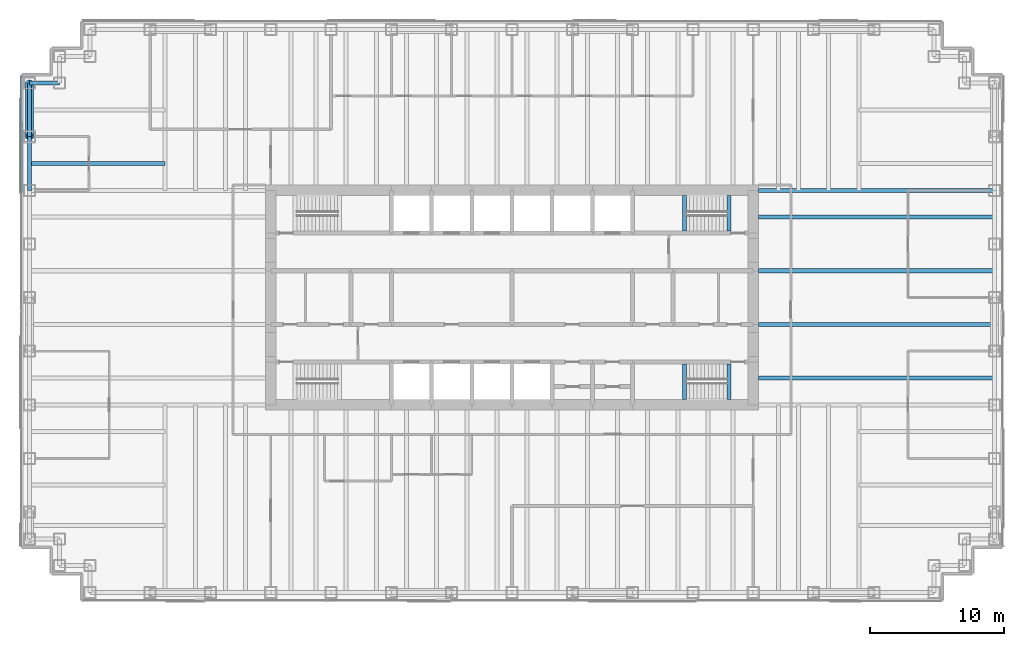
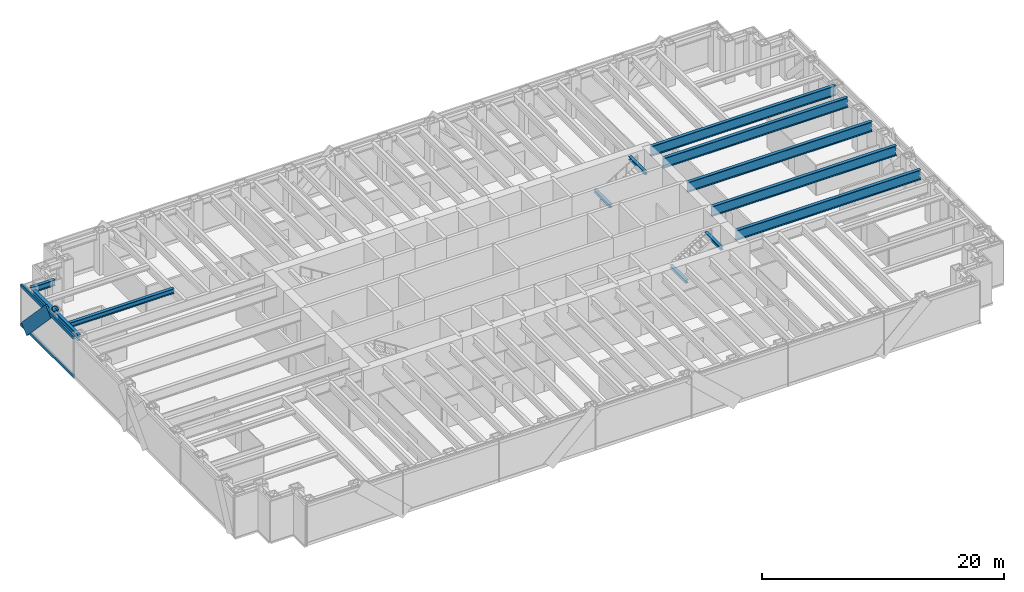
# One storey, part 5 of 15: 13 beams, 4 members, 1 element without a shape of its own.
"""IFC4 building model written with IfcOpenShell, lengths in metres."""

from ifc_helpers import new_model, si_unit, direction, frame, origin, origin_2d, place, context, subcontext, project, spatial, rectangle, hollow_circle, i_section, extrude, material, material_profile, profile_set, type_object, element, aggregate, save


model = new_model("IFC4")

# Units and contexts
model_context = context("Model", 3, precision=1e-05, world=origin(), true_north=direction((0.0, 1.0)))
body_context = subcontext(model_context, "Body", "Model", "MODEL_VIEW")
ifc_project = project(units=[si_unit("LENGTHUNIT", "METRE"), si_unit("AREAUNIT", "SQUARE_METRE"), si_unit("VOLUMEUNIT", "CUBIC_METRE"), si_unit("PLANEANGLEUNIT", "RADIAN"), si_unit("MASSUNIT", "GRAM", prefix="KILO")], contexts=[model_context])

# Site, building, storey
site_placement = place(None, origin())
site = spatial("IfcSite", under=ifc_project, at=site_placement, CompositionType="ELEMENT")
building_placement = place(site_placement, origin())
building = spatial("IfcBuilding", under=site, at=building_placement, Name="Rheinbord Bourse Tower", CompositionType="ELEMENT")
storey_placement = place(building_placement, frame((0.0, 0.0, 236.199951171875)))
storey = spatial("IfcBuildingStorey", under=building, at=storey_placement, Name="L53", CompositionType="ELEMENT", Elevation=236.199951171875)

# Curtain wall, members
ifc_material_1 = material(Name="Dark glass and black aluminium", Category="aluminium")
curtain_wall_type = type_object("IfcCurtainWallType", Name="CW2 DARK GLASS CURTAIN WALL", PredefinedType="USERDEFINED", material=ifc_material_1)
curtain_wall_placement = place(storey_placement, origin())
curtain_wall = element("IfcCurtainWall", 1, at=curtain_wall_placement, inside=storey, type_object=curtain_wall_type, Name="Curtain wall CW2 W L53", ObjectType="UNITISED CURTAIN WALL", PredefinedType="USERDEFINED")
ifc_material_2 = material(Name="Black anodised aluminium", Category="aluminium")
ifc_material_profile_1 = material_profile(ifc_material_2, rectangle(XDim=0.159912109375, YDim=1.2099609375, at=origin_2d()), Name="CW2 DIAGONAL MULLION 1210x160")
ifc_profile_set_1 = profile_set([ifc_material_profile_1], Name="Black anodised aluminium")
member_type_1 = type_object("IfcMemberType", Name="CW2 BLACK DIAGONAL MULLION", PredefinedType="USERDEFINED", material=ifc_profile_set_1)
member_1_placement = place(storey_placement, frame((-0.60009765625, 40.0, 0.0), z_axis=(0.0, -0.689659376744, 0.724133926887), x_axis=(1.0, 0.0, 0.0)))
member_1 = element("IfcMember", 2, at=member_1_placement, type_object=member_type_1, Name="CW2 diagonal mullion b", ObjectType="DIAGONAL MULLION", PredefinedType="USERDEFINED", context=body_context, shape_type="SweptSolid", body=[
    extrude(rectangle(XDim=0.159912109375, YDim=1.2099609375, at=origin_2d()), origin(), (0.0, 0.0, 1.0), 5.800048828125),
])
ifc_material_3 = material(Name="Black anodised aluminium", Category="aluminium")
ifc_material_profile_2 = material_profile(ifc_material_3, rectangle(XDim=0.159912109375, YDim=0.300048828125, at=origin_2d()), Name="CW2 TRANSOM 300x160")
ifc_profile_set_2 = profile_set([ifc_material_profile_2], Name="Black anodised aluminium")
member_type_2 = type_object("IfcMemberType", Name="CW2 BLACK TRANSOM", PredefinedType="USERDEFINED", material=ifc_profile_set_2)
member_2_placement = place(storey_placement, frame((-0.60009765625, 40.530029296875, 0.150146484375), z_axis=(0.0, -1.0, 0.0), x_axis=(1.0, 0.0, 0.0)))
member_2 = element("IfcMember", 3, at=member_2_placement, type_object=member_type_2, Name="CW2 transom 1.1", ObjectType="TRANSOM", PredefinedType="USERDEFINED", context=body_context, shape_type="SweptSolid", body=[
    extrude(rectangle(XDim=0.159912109375, YDim=0.300048828125, at=origin_2d()), origin(), (0.0, 0.0, 1.0), 8.695068359375),
])
member_3_placement = place(storey_placement, frame((-0.60009765625, 40.530029296875, 4.050048828125), z_axis=(0.0, -1.0, 0.0), x_axis=(1.0, 0.0, 0.0)))
member_3 = element("IfcMember", 4, at=member_3_placement, type_object=member_type_2, Name="CW2 transom 1.2", ObjectType="TRANSOM", PredefinedType="USERDEFINED", context=body_context, shape_type="SweptSolid", body=[
    extrude(rectangle(XDim=0.159912109375, YDim=0.300048828125, at=origin_2d()), origin(), (0.0, 0.0, 1.0), 8.695068359375),
])
aggregate(curtain_wall, [member_2, member_3, member_1])

# Beams
ifc_material_4 = material(Name="Steel S460", Category="steel")
ifc_material_profile_3 = material_profile(ifc_material_4, i_section(OverallWidth=0.302001953125, OverallDepth=1.008056640625, WebThickness=0.02099609375, FlangeThickness=0.0400390625, at=origin_2d()), Name="HEM 1000")
ifc_profile_set_3 = profile_set([ifc_material_profile_3], Name="Steel S460")
beam_type_1 = type_object("IfcBeamType", Name="END BEAM HEM 1000", PredefinedType="BEAM", material=ifc_profile_set_3)
for number, where, z_axis, x_axis, name in (
    (5, (54.39990234375, 18.0, 3.5361328125), (1.0, 0.0, 0.0), (0.0, 1.0, 0.0), "End beam east 18 L54"),
    (6, (54.39990234375, 22.0, 3.5361328125), (1.0, 0.0, 0.0), (0.0, 1.0, 0.0), "End beam east 22 L54"),
    (7, (54.39990234375, 26.0, 3.5361328125), (1.0, 0.0, 0.0), (0.0, 1.0, 0.0), "End beam east 26 L54"),
    (8, (54.39990234375, 30.0, 3.5361328125), (1.0, 0.0, 0.0), (0.0, 1.0, 0.0), "End beam east 30 L54"),
):
    element("IfcBeam", number, at=place(storey_placement, frame(where, z_axis=z_axis, x_axis=x_axis)), inside=storey, type_object=beam_type_1, Name=name, PredefinedType="BEAM", context=body_context, shape_type="SweptSolid", body=[
        extrude(i_section(OverallWidth=0.302001953125, OverallDepth=1.008056640625, WebThickness=0.02099609375, FlangeThickness=0.0400390625, at=origin_2d()), origin(), (0.0, 0.0, 1.0), 17.60009765625),
    ])
ifc_material_5 = material(Name="Steel S460", Category="steel")
ifc_material_profile_4 = material_profile(ifc_material_5, i_section(OverallWidth=0.302001953125, OverallDepth=1.008056640625, WebThickness=0.02099609375, FlangeThickness=0.0400390625, at=origin_2d()), Name="HEM 1000")
ifc_profile_set_4 = profile_set([ifc_material_profile_4], Name="Steel S460")
beam_type_2 = type_object("IfcBeamType", Name="GIRDER HEM 1000", PredefinedType="BEAM", material=ifc_profile_set_4)
beam_1_placement = place(storey_placement, frame((54.39990234375, 32.0, 3.5361328125), z_axis=(1.0, 0.0, 0.0), x_axis=(0.0, 1.0, 0.0)))
element("IfcBeam", 9, at=beam_1_placement, inside=storey, type_object=beam_type_2, Name="Girder east 32 L54", PredefinedType="BEAM", context=body_context, shape_type="SweptSolid", body=[
    extrude(i_section(OverallWidth=0.302001953125, OverallDepth=1.008056640625, WebThickness=0.02099609375, FlangeThickness=0.0400390625, at=origin_2d()), origin(), (0.0, 0.0, 1.0), 17.60009765625),
])
ifc_material_6 = material(Name="Steel S460", Category="steel")
ifc_material_profile_5 = material_profile(ifc_material_6, i_section(OverallWidth=0.300048828125, OverallDepth=0.300048828125, WebThickness=0.010986328125, FlangeThickness=0.01904296875, at=origin_2d()), Name="HEB 300")
ifc_profile_set_5 = profile_set([ifc_material_profile_5], Name="Steel S460")
beam_type_3 = type_object("IfcBeamType", Name="LANDING TRIMMER HEB 300", PredefinedType="BEAM", material=ifc_profile_set_5)
for number, where, z_axis, x_axis, name in (
    (10, (48.8701171875, 16.39990234375, 1.75), (0.0, 1.0, 0.0), (-1.0, 0.0, 0.0), "Landing trimmer ST3 L53"),
    (11, (52.199951171875, 16.39990234375, 3.89013671875), (0.0, 1.0, 0.0), (-1.0, 0.0, 0.0), "Well trimmer ST3 under L54"),
    (12, (48.8701171875, 28.949951171875, 1.75), (0.0, 1.0, 0.0), (-1.0, 0.0, 0.0), "Landing trimmer ST4 L53"),
    (13, (52.199951171875, 28.949951171875, 3.89013671875), (0.0, 1.0, 0.0), (-1.0, 0.0, 0.0), "Well trimmer ST4 under L54"),
):
    element("IfcBeam", number, at=place(storey_placement, frame(where, z_axis=z_axis, x_axis=x_axis)), inside=storey, type_object=beam_type_3, Name=name, PredefinedType="BEAM", context=body_context, shape_type="SweptSolid", body=[
        extrude(i_section(OverallWidth=0.300048828125, OverallDepth=0.300048828125, WebThickness=0.010986328125, FlangeThickness=0.01904296875, at=origin_2d()), origin(), (0.0, 0.0, 1.0), 2.650146484375),
    ])

# Member
ifc_material_7 = material(Name="Steel S460", Category="steel")
ifc_material_profile_6 = material_profile(ifc_material_7, hollow_circle(Radius=0.304931640625, WallThickness=0.0400390625, at=origin_2d()), Name="CHS 610x40")
ifc_profile_set_6 = profile_set([ifc_material_profile_6], Name="Steel S460")
member_type_3 = type_object("IfcMemberType", Name="MEGABRACE CHS 610x40", PredefinedType="BRACE", material=ifc_profile_set_6)
member_4_placement = place(storey_placement, frame((0.0, 40.0, 0.0), z_axis=(0.0, -0.689659376744, 0.724133926887), x_axis=(1.0, 0.0, 0.0)))
element("IfcMember", 14, at=member_4_placement, inside=storey, type_object=member_type_3, Name="Megabrace W face line b L53", PredefinedType="BRACE", context=body_context, shape_type="SweptSolid", body=[
    extrude(hollow_circle(Radius=0.304931640625, WallThickness=0.0400390625, at=origin_2d()), origin(), (0.0, 0.0, 1.0), 5.800048828125),
])

# Beams
ifc_material_8 = material(Name="Steel S460", Category="steel")
ifc_material_profile_7 = material_profile(ifc_material_8, i_section(OverallWidth=0.300048828125, OverallDepth=0.60009765625, WebThickness=0.015380859375, FlangeThickness=0.030029296875, at=origin_2d()), Name="HEB 600")
ifc_profile_set_7 = profile_set([ifc_material_profile_7], Name="Steel S460")
beam_type_4 = type_object("IfcBeamType", Name="SPANDREL HEB 600", PredefinedType="SPANDREL", material=ifc_profile_set_7)
beam_2_placement = place(storey_placement, frame((2.25, 40.0, 3.739990234375), z_axis=(-1.0, 0.0, 0.0), x_axis=(0.0, -1.0, 0.0)))
element("IfcBeam", 15, at=beam_2_placement, inside=storey, type_object=beam_type_4, Name="Spandrel NW-B-NW-A under L54", PredefinedType="SPANDREL", context=body_context, shape_type="SweptSolid", body=[
    extrude(i_section(OverallWidth=0.300048828125, OverallDepth=0.60009765625, WebThickness=0.015380859375, FlangeThickness=0.030029296875, at=origin_2d()), origin(), (0.0, 0.0, 1.0), 2.25),
])
for number, where, z_axis, x_axis, name in (
    (16, (0.0, 40.0, 3.739990234375), (0.0, -1.0, 0.0), (1.0, 0.0, 0.0), "Spandrel NW-A-W-36 under L54"),
    (17, (0.0, 36.0, 3.739990234375), (0.0, -1.0, 0.0), (1.0, 0.0, 0.0), "Spandrel W-36-W-32 under L54"),
):
    element("IfcBeam", number, at=place(storey_placement, frame(where, z_axis=z_axis, x_axis=x_axis)), inside=storey, type_object=beam_type_4, Name=name, PredefinedType="SPANDREL", context=body_context, shape_type="SweptSolid", body=[
        extrude(i_section(OverallWidth=0.300048828125, OverallDepth=0.60009765625, WebThickness=0.015380859375, FlangeThickness=0.030029296875, at=origin_2d()), origin(), (0.0, 0.0, 1.0), 4.0),
    ])
ifc_material_9 = material(Name="Steel S460", Category="steel")
ifc_material_profile_8 = material_profile(ifc_material_9, i_section(OverallWidth=0.300048828125, OverallDepth=0.5, WebThickness=0.014404296875, FlangeThickness=0.028076171875, at=origin_2d()), Name="HEB 500")
ifc_profile_set_8 = profile_set([ifc_material_profile_8], Name="Steel S460")
beam_type_5 = type_object("IfcBeamType", Name="TIE BEAM HEB 500", PredefinedType="JOIST", material=ifc_profile_set_8)
beam_3_placement = place(storey_placement, frame((0.0, 34.0, 3.7900390625), z_axis=(1.0, 0.0, 0.0), x_axis=(0.0, 1.0, 0.0)))
element("IfcBeam", 18, at=beam_3_placement, inside=storey, type_object=beam_type_5, Name="Tie west 34 L54", PredefinedType="JOIST", context=body_context, shape_type="SweptSolid", body=[
    extrude(i_section(OverallWidth=0.300048828125, OverallDepth=0.5, WebThickness=0.014404296875, FlangeThickness=0.028076171875, at=origin_2d()), origin(), (0.0, 0.0, 1.0), 10.125),
])

save(model, "model.ifc")
